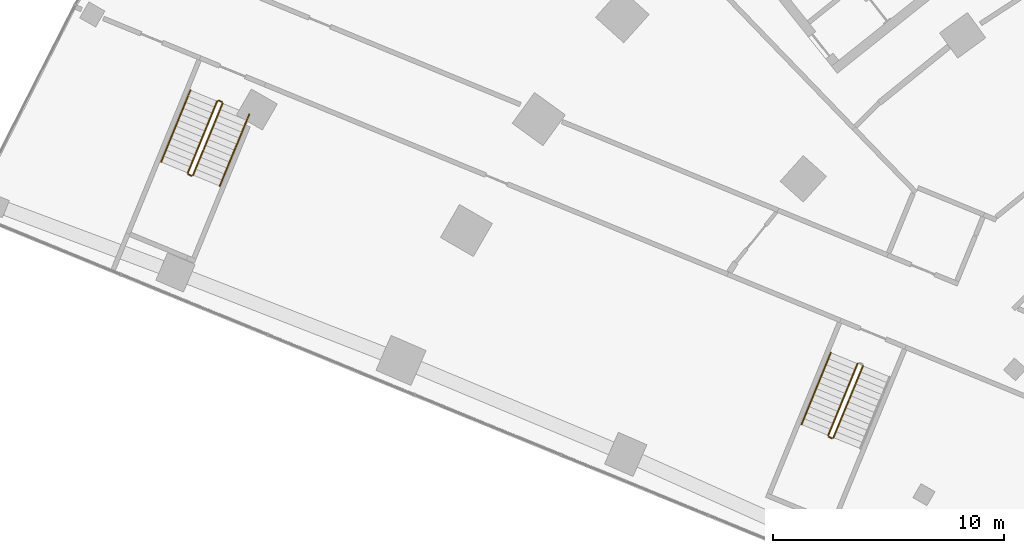
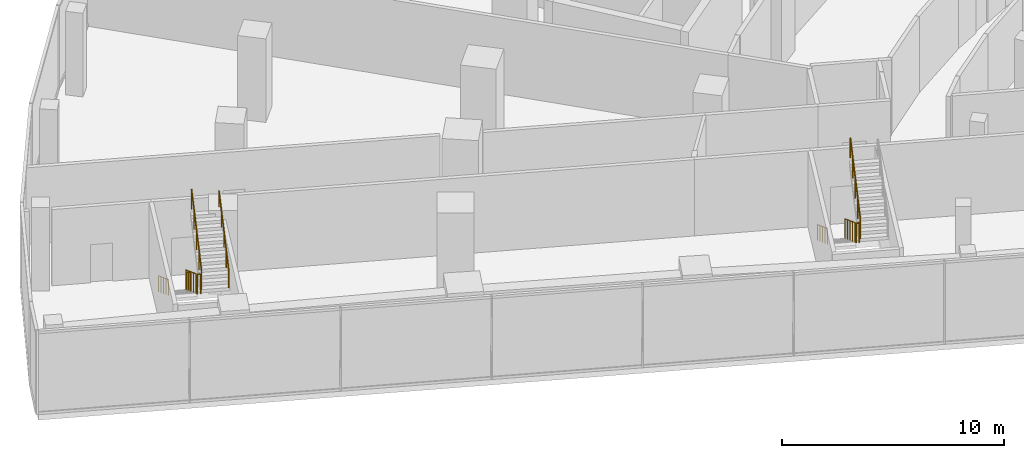
# One storey, part 32 of 40: 10 railings.
"""IFC4 building model written with IfcOpenShell, lengths in metres."""

from ifc_helpers import new_model, si_unit, direction, frame, origin, origin_2d, place, context, subcontext, project, spatial, circle, extrude, material, type_object, element, save


model = new_model("IFC4")

# Units and contexts
model_context = context("Model", 3, precision=1e-05, world=origin(), true_north=direction((0.0, 1.0)))
body_context = subcontext(model_context, "Body", "Model", "MODEL_VIEW")
ifc_project = project(units=[si_unit("LENGTHUNIT", "METRE"), si_unit("AREAUNIT", "SQUARE_METRE"), si_unit("VOLUMEUNIT", "CUBIC_METRE"), si_unit("PLANEANGLEUNIT", "RADIAN"), si_unit("MASSUNIT", "GRAM", prefix="KILO")], contexts=[model_context])

# Site, building, storey
site_placement = place(None, origin())
site = spatial("IfcSite", under=ifc_project, at=site_placement, CompositionType="ELEMENT")
building_placement = place(site_placement, origin())
building = spatial("IfcBuilding", under=site, at=building_placement, Name="Stone Belt Terrace Tower", CompositionType="ELEMENT")
storey_placement = place(building_placement, frame((0.0, 0.0, 7.0)))
storey = spatial("IfcBuildingStorey", under=building, at=storey_placement, Name="L01", CompositionType="ELEMENT", Elevation=7.0)

# Railings
ifc_material_1 = material(Name="Steel balustrade", Category="steel")
railing_type_1 = type_object("IfcRailingType", Name="Podium stair guard", PredefinedType="GUARDRAIL", material=ifc_material_1)
railing_1_placement = place(storey_placement, frame((-30.6767578125, 21.72705078125, 0.177001953125)))
element("IfcRailing", 1, at=railing_1_placement, inside=storey, type_object=railing_type_1, Name="L01 PS1 stair guard 1", PredefinedType="GUARDRAIL", context=body_context, shape_type="SweptSolid", body=[
    extrude(circle(Radius=0.02392578125, at=origin_2d()), frame((0.0, 0.0, 1.076171875), z_axis=(-0.320647790343, -0.782208613453, 0.534167276785), x_axis=(0.925275877227, -0.379294807533, 0.0)), (0.0, 0.0, 1.0), 3.974609375),
    extrude(circle(Radius=0.02099609375, at=origin_2d()), origin(), (0.0, 0.0, 1.0), 1.052001953125),
    extrude(circle(Radius=0.02099609375, at=origin_2d()), frame((-0.318603515625, -0.77734375, 0.53076171875)), (0.0, 0.0, 1.0), 1.052001953125),
    extrude(circle(Radius=0.02099609375, at=origin_2d()), frame((-0.63720703125, -1.554443359375, 1.0615234375)), (0.0, 0.0, 1.0), 1.052001953125),
    extrude(circle(Radius=0.02099609375, at=origin_2d()), frame((-0.955810546875, -2.33154296875, 1.59228515625)), (0.0, 0.0, 1.0), 1.052001953125),
    extrude(circle(Radius=0.02099609375, at=origin_2d()), frame((-1.2744140625, -3.10888671875, 2.123046875)), (0.0, 0.0, 1.0), 1.052001953125),
])
railing_2_placement = place(storey_placement, frame((-31.923828125, 18.552734375, 2.300048828125)))
element("IfcRailing", 2, at=railing_2_placement, inside=storey, type_object=railing_type_1, Name="L01 PS1 stair guard 2", PredefinedType="GUARDRAIL", context=body_context, shape_type="SweptSolid", body=[
    extrude(circle(Radius=0.02392578125, at=origin_2d()), frame((0.0, 0.0, 1.076171875), z_axis=(0.925417366351, -0.378949466362, 0.0), x_axis=(0.378949466362, 0.925417366351, 0.0)), (0.0, 0.0, 1.0), 0.150146484375),
    extrude(circle(Radius=0.02099609375, at=origin_2d()), origin(), (0.0, 0.0, 1.0), 1.052001953125),
    extrude(circle(Radius=0.02099609375, at=origin_2d()), frame((0.138916015625, -0.056884765625, 0.0)), (0.0, 0.0, 1.0), 1.052001953125),
])
railing_3_placement = place(storey_placement, frame((-31.7197265625, 18.523193359375, 2.476806640625)))
element("IfcRailing", 3, at=railing_3_placement, inside=storey, type_object=railing_type_1, Name="L01 PS1 stair guard 3", PredefinedType="GUARDRAIL", context=body_context, shape_type="SweptSolid", body=[
    extrude(circle(Radius=0.02392578125, at=origin_2d()), frame((0.0, 0.0, 1.076171875), z_axis=(0.320566755084, 0.782222193141, 0.534196027777), x_axis=(-0.92531182595, 0.379207100089, 0.0)), (0.0, 0.0, 1.0), 3.974853515625),
    extrude(circle(Radius=0.02099609375, at=origin_2d()), origin(), (0.0, 0.0, 1.0), 1.052001953125),
    extrude(circle(Radius=0.02099609375, at=origin_2d()), frame((0.318603515625, 0.77734375, 0.53076171875)), (0.0, 0.0, 1.0), 1.052001953125),
    extrude(circle(Radius=0.02099609375, at=origin_2d()), frame((0.63720703125, 1.5546875, 1.0615234375)), (0.0, 0.0, 1.0), 1.052001953125),
    extrude(circle(Radius=0.02099609375, at=origin_2d()), frame((0.95556640625, 2.331787109375, 1.592529296875)), (0.0, 0.0, 1.0), 1.052001953125),
    extrude(circle(Radius=0.02099609375, at=origin_2d()), frame((1.274169921875, 3.109130859375, 2.123291015625)), (0.0, 0.0, 1.0), 1.052001953125),
])
railing_4_placement = place(storey_placement, frame((-58.435791015625, 33.104248046875, 0.177001953125)))
element("IfcRailing", 4, at=railing_4_placement, inside=storey, type_object=railing_type_1, Name="L01 PS2 stair guard 1", PredefinedType="GUARDRAIL", context=body_context, shape_type="SweptSolid", body=[
    extrude(circle(Radius=0.02392578125, at=origin_2d()), frame((0.0, 0.0, 1.076171875), z_axis=(-0.320592677529, -0.782224019096, 0.53417779724), x_axis=(0.925301376681, -0.379232596584, 0.0)), (0.0, 0.0, 1.0), 3.974365234375),
    extrude(circle(Radius=0.02099609375, at=origin_2d()), origin(), (0.0, 0.0, 1.0), 1.052001953125),
    extrude(circle(Radius=0.02099609375, at=origin_2d()), frame((-0.318603515625, -0.77734375, 0.53076171875)), (0.0, 0.0, 1.0), 1.052001953125),
    extrude(circle(Radius=0.02099609375, at=origin_2d()), frame((-0.63720703125, -1.554443359375, 1.0615234375)), (0.0, 0.0, 1.0), 1.052001953125),
    extrude(circle(Radius=0.02099609375, at=origin_2d()), frame((-0.95556640625, -2.33154296875, 1.59228515625)), (0.0, 0.0, 1.0), 1.052001953125),
    extrude(circle(Radius=0.02099609375, at=origin_2d()), frame((-1.274169921875, -3.10888671875, 2.123046875)), (0.0, 0.0, 1.0), 1.052001953125),
])
railing_5_placement = place(storey_placement, frame((-59.6826171875, 29.93017578125, 2.300048828125)))
element("IfcRailing", 5, at=railing_5_placement, inside=storey, type_object=railing_type_1, Name="L01 PS2 stair guard 2", PredefinedType="GUARDRAIL", context=body_context, shape_type="SweptSolid", body=[
    extrude(circle(Radius=0.02392578125, at=origin_2d()), frame((0.0, 0.0, 1.076171875), z_axis=(0.925183283695, -0.379520607572, 0.0), x_axis=(0.379520607572, 0.925183283695, 0.0)), (0.0, 0.0, 1.0), 0.14990234375),
    extrude(circle(Radius=0.02099609375, at=origin_2d()), origin(), (0.0, 0.0, 1.0), 1.052001953125),
    extrude(circle(Radius=0.02099609375, at=origin_2d()), frame((0.138671875, -0.056884765625, 0.0)), (0.0, 0.0, 1.0), 1.052001953125),
])
railing_6_placement = place(storey_placement, frame((-59.478759765625, 29.900634765625, 2.476806640625)))
element("IfcRailing", 6, at=railing_6_placement, inside=storey, type_object=railing_type_1, Name="L01 PS2 stair guard 3", PredefinedType="GUARDRAIL", context=body_context, shape_type="SweptSolid", body=[
    extrude(circle(Radius=0.02392578125, at=origin_2d()), frame((0.0, 0.0, 1.076171875), z_axis=(0.320637269104, 0.782182947274, 0.534211174214), x_axis=(-0.925275877227, 0.379294807533, 0.0)), (0.0, 0.0, 1.0), 3.974609375),
    extrude(circle(Radius=0.02099609375, at=origin_2d()), origin(), (0.0, 0.0, 1.0), 1.052001953125),
    extrude(circle(Radius=0.02099609375, at=origin_2d()), frame((0.318603515625, 0.77734375, 0.53076171875)), (0.0, 0.0, 1.0), 1.052001953125),
    extrude(circle(Radius=0.02099609375, at=origin_2d()), frame((0.63720703125, 1.554443359375, 1.0615234375)), (0.0, 0.0, 1.0), 1.052001953125),
    extrude(circle(Radius=0.02099609375, at=origin_2d()), frame((0.955810546875, 2.33154296875, 1.592529296875)), (0.0, 0.0, 1.0), 1.052001953125),
    extrude(circle(Radius=0.02099609375, at=origin_2d()), frame((1.2744140625, 3.10888671875, 2.123291015625)), (0.0, 0.0, 1.0), 1.052001953125),
])
railing_7_placement = place(storey_placement, frame((-58.37060546875, 33.131591796875, 0.0)))
element("IfcRailing", 7, at=railing_7_placement, inside=storey, type_object=railing_type_1, Name="L01 PS2 stair guard 4", PredefinedType="GUARDRAIL", context=body_context, shape_type="SweptSolid", body=[
    extrude(circle(Radius=0.02392578125, at=origin_2d()), frame((0.0, 0.0, 1.076171875), z_axis=(0.925417366351, -0.378949466362, 0.0), x_axis=(0.378949466362, 0.925417366351, 0.0)), (0.0, 0.0, 1.0), 0.150146484375),
    extrude(circle(Radius=0.02099609375, at=origin_2d()), origin(), (0.0, 0.0, 1.0), 1.052001953125),
    extrude(circle(Radius=0.02099609375, at=origin_2d()), frame((0.138916015625, -0.056884765625, 0.0)), (0.0, 0.0, 1.0), 1.052001953125),
])
ifc_material_2 = material(Name="Stainless steel handrail", Category="steel")
railing_type_2 = type_object("IfcRailingType", Name="Podium stair handrail", PredefinedType="HANDRAIL", material=ifc_material_2)
railing_8_placement = place(storey_placement, frame((-31.83349609375, 22.201171875, 0.177001953125)))
element("IfcRailing", 8, at=railing_8_placement, inside=storey, type_object=railing_type_2, Name="L01 PS1 stair handrail 1", PredefinedType="HANDRAIL", context=body_context, shape_type="SweptSolid", body=[
    extrude(circle(Radius=0.02392578125, at=origin_2d()), frame((0.0, 0.0, 0.8759765625), z_axis=(-0.320577273413, -0.782247859152, 0.534152130599), x_axis=(0.92531182595, -0.379207100089, 0.0)), (0.0, 0.0, 1.0), 3.974609375),
    extrude(circle(Radius=0.02099609375, at=origin_2d()), origin(), (0.0, 0.0, 1.0), 0.851806640625),
    extrude(circle(Radius=0.02099609375, at=origin_2d()), frame((-0.318603515625, -0.77734375, 0.53076171875)), (0.0, 0.0, 1.0), 0.851806640625),
    extrude(circle(Radius=0.02099609375, at=origin_2d()), frame((-0.63720703125, -1.5546875, 1.0615234375)), (0.0, 0.0, 1.0), 0.851806640625),
    extrude(circle(Radius=0.02099609375, at=origin_2d()), frame((-0.95556640625, -2.331787109375, 1.59228515625)), (0.0, 0.0, 1.0), 0.851806640625),
    extrude(circle(Radius=0.02099609375, at=origin_2d()), frame((-1.274169921875, -3.109130859375, 2.123046875)), (0.0, 0.0, 1.0), 0.851806640625),
])
railing_9_placement = place(storey_placement, frame((-59.59228515625, 33.578369140625, 0.177001953125)))
element("IfcRailing", 9, at=railing_9_placement, inside=storey, type_object=railing_type_2, Name="L01 PS2 stair handrail 1", PredefinedType="HANDRAIL", context=body_context, shape_type="SweptSolid", body=[
    extrude(circle(Radius=0.02392578125, at=origin_2d()), frame((0.0, 0.0, 0.8759765625), z_axis=(-0.320647790343, -0.782208613453, 0.534167276785), x_axis=(0.925275877227, -0.379294807533, 0.0)), (0.0, 0.0, 1.0), 3.974609375),
    extrude(circle(Radius=0.02099609375, at=origin_2d()), origin(), (0.0, 0.0, 1.0), 0.851806640625),
    extrude(circle(Radius=0.02099609375, at=origin_2d()), frame((-0.318603515625, -0.77734375, 0.53076171875)), (0.0, 0.0, 1.0), 0.851806640625),
    extrude(circle(Radius=0.02099609375, at=origin_2d()), frame((-0.63720703125, -1.554443359375, 1.0615234375)), (0.0, 0.0, 1.0), 0.851806640625),
    extrude(circle(Radius=0.02099609375, at=origin_2d()), frame((-0.955810546875, -2.33154296875, 1.59228515625)), (0.0, 0.0, 1.0), 0.851806640625),
    extrude(circle(Radius=0.02099609375, at=origin_2d()), frame((-1.2744140625, -3.10888671875, 2.123046875)), (0.0, 0.0, 1.0), 0.851806640625),
])
railing_10_placement = place(storey_placement, frame((-58.322021484375, 29.426513671875, 2.476806640625)))
element("IfcRailing", 10, at=railing_10_placement, inside=storey, type_object=railing_type_2, Name="L01 PS2 stair handrail 2", PredefinedType="HANDRAIL", context=body_context, shape_type="SweptSolid", body=[
    extrude(circle(Radius=0.02392578125, at=origin_2d()), frame((0.0, 0.0, 0.8759765625), z_axis=(0.320582157685, 0.7821983514, 0.534221694843), x_axis=(-0.925301376681, 0.379232596584, 0.0)), (0.0, 0.0, 1.0), 3.974609375),
    extrude(circle(Radius=0.02099609375, at=origin_2d()), origin(), (0.0, 0.0, 1.0), 0.851806640625),
    extrude(circle(Radius=0.02099609375, at=origin_2d()), frame((0.318603515625, 0.77734375, 0.53076171875)), (0.0, 0.0, 1.0), 0.851806640625),
    extrude(circle(Radius=0.02099609375, at=origin_2d()), frame((0.63720703125, 1.554443359375, 1.0615234375)), (0.0, 0.0, 1.0), 0.851806640625),
    extrude(circle(Radius=0.02099609375, at=origin_2d()), frame((0.95556640625, 2.33154296875, 1.592529296875)), (0.0, 0.0, 1.0), 0.851806640625),
    extrude(circle(Radius=0.02099609375, at=origin_2d()), frame((1.274169921875, 3.10888671875, 2.123291015625)), (0.0, 0.0, 1.0), 0.851806640625),
])

save(model, "model.ifc")
